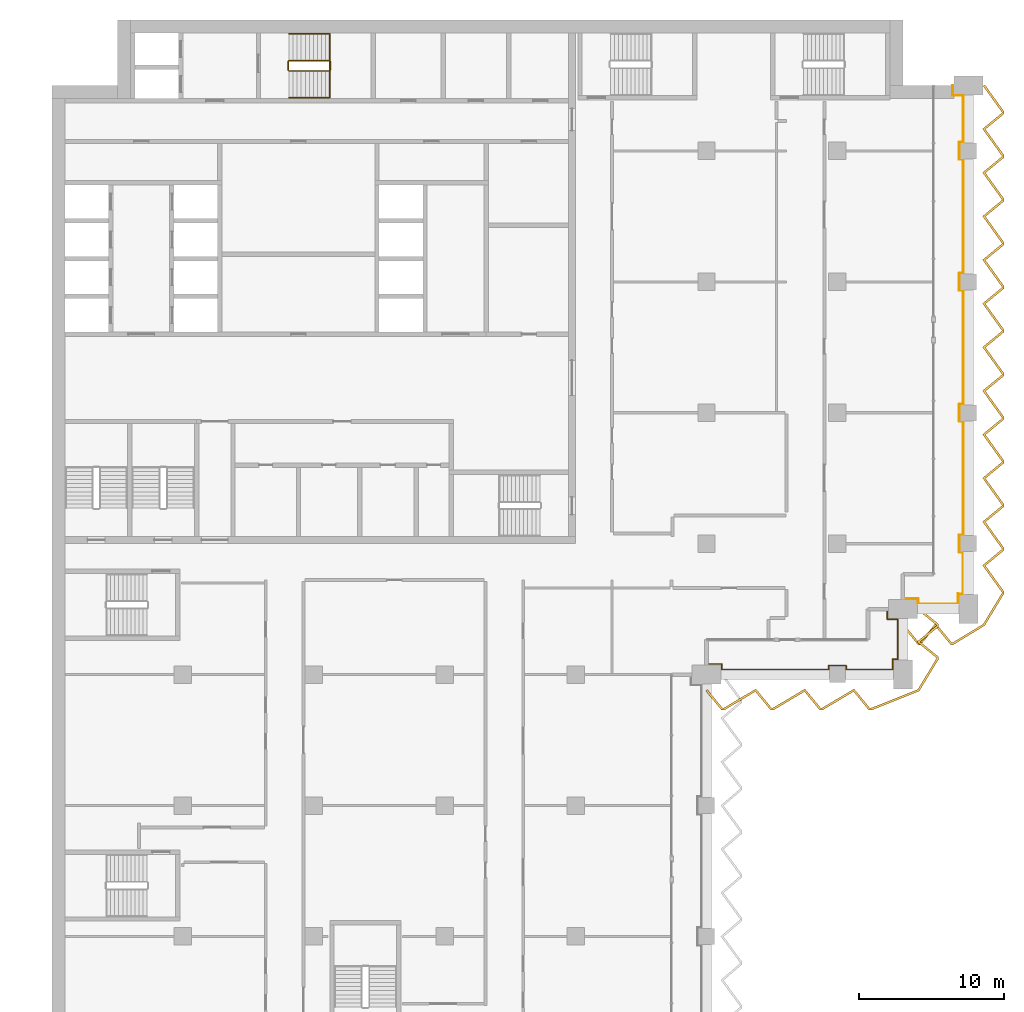
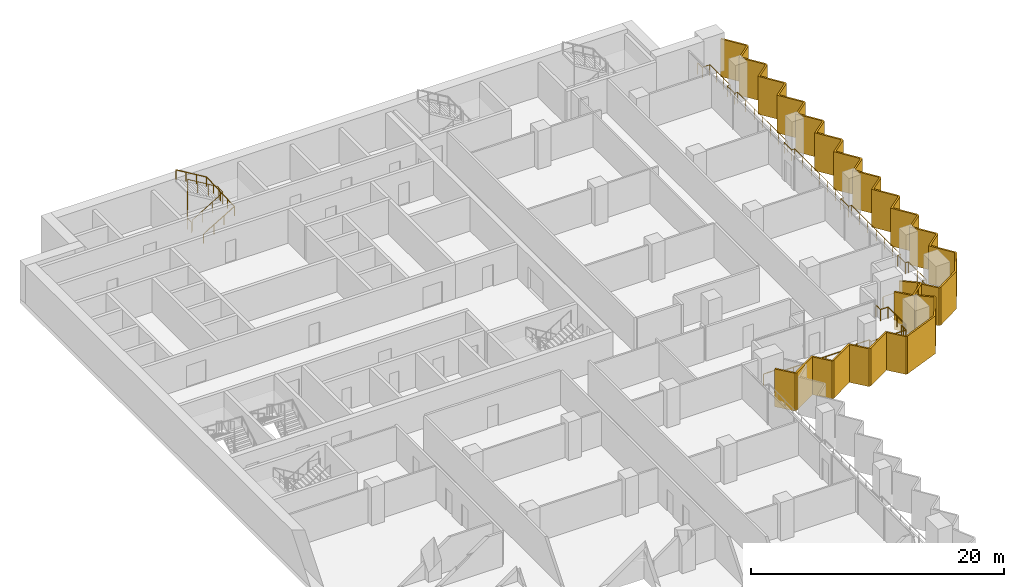
# One storey, part 21 of 22: 4 railings, 2 shading devices.
"""IFC4 building model written with IfcOpenShell, lengths in metres."""

import ifcopenshell
import ifcopenshell.guid

model = None  # the IFC model being written
_history = None  # IfcOwnerHistory: only IFC2X3 demands one
_inside = {}  # id of a spatial element -> (the spatial element, [elements in it])
_under = {}  # id of a project, library or spatial element -> (it, [spatial elements below it])
_declared = {}  # id of a project -> (the project, [libraries it declares])
_typed = {}  # id of a type object -> (the type object, [elements of that type])
_made_of = {}  # id of a material, layer set ... -> (it, [elements and type objects made of it])


def new_model(schema):
    """Start an empty IFC model of exactly this schema.

    Asked for "IFC4X3", IfcOpenShell would pick the latest addendum, in which some entities
    have other attributes; the version numbers below select the first issue.
    IFC2X3 requires an IfcOwnerHistory on every rooted entity: one is made here for all.
    """
    global model, _history
    if schema == "IFC4X3":
        model = ifcopenshell.file(schema_version=(4, 3, 0, 0))
    else:
        model = ifcopenshell.file(schema=schema)
    _inside.clear()
    _under.clear()
    _declared.clear()
    _typed.clear()
    _made_of.clear()
    _history = None
    if model.schema == "IFC2X3":
        org = make("IfcOrganization", Name="unknown")
        user = make(
            "IfcPersonAndOrganization",
            ThePerson=make("IfcPerson", FamilyName="unknown"),
            TheOrganization=org,
        )
        app = make(
            "IfcApplication",
            ApplicationDeveloper=org,
            Version="unknown",
            ApplicationFullName="unknown",
            ApplicationIdentifier="unknown",
        )
        _history = make(
            "IfcOwnerHistory",
            OwningUser=user,
            OwningApplication=app,
            ChangeAction="ADDED",
            CreationDate=0,
        )
    return model


def make(cls, **values):
    """One entity of the class cls with the attributes given. An attribute that is None is left unset."""
    return model.create_entity(
        cls, **{name: value for name, value in values.items() if value is not None}
    )


def rooted(cls, **values):
    """An entity with a GlobalId (a new one), such as an element, a storey or a relation."""
    return make(cls, GlobalId=ifcopenshell.guid.new(), OwnerHistory=_history, **values)


def si_unit(unit_type, name, prefix=None):
    """IfcSIUnit, for example si_unit("LENGTHUNIT", "METRE", prefix="MILLI")."""
    return make("IfcSIUnit", UnitType=unit_type, Prefix=prefix, Name=name)


def assignment(units):
    """IfcUnitAssignment: the units of a project."""
    return None if units is None else make("IfcUnitAssignment", Units=units)


def point(xyz):
    """IfcCartesianPoint."""
    return None if xyz is None else make("IfcCartesianPoint", Coordinates=xyz)


def direction(xyz):
    """IfcDirection."""
    return None if xyz is None else make("IfcDirection", DirectionRatios=xyz)


def frame(location, z_axis=None, x_axis=None):
    """IfcAxis2Placement3D, a coordinate frame: its origin and axes. An axis left out is left unset."""
    return make(
        "IfcAxis2Placement3D",
        Location=point(location),
        Axis=direction(z_axis),
        RefDirection=direction(x_axis),
    )


def frame_2d(location, x_axis=None):
    """IfcAxis2Placement2D, a coordinate frame in the plane: its origin and x axis."""
    return make(
        "IfcAxis2Placement2D", Location=point(location), RefDirection=direction(x_axis)
    )


def origin():
    """The frame at (0, 0, 0) with its axes left unset."""
    return frame((0.0, 0.0, 0.0))


def origin_2d():
    """The frame at (0, 0) in the plane with its x axis left unset."""
    return frame_2d((0.0, 0.0))


def place(relative_to, where):
    """IfcLocalPlacement: puts the frame where relative to a parent placement (None: the world)."""
    return make(
        "IfcLocalPlacement", PlacementRelTo=relative_to, RelativePlacement=where
    )


def context(
    kind, dimensions, precision=None, world=None, true_north=None, identifier=None
):
    """IfcGeometricRepresentationContext, for example the 3D "Model" context."""
    return make(
        "IfcGeometricRepresentationContext",
        ContextIdentifier=identifier,
        ContextType=kind,
        CoordinateSpaceDimension=dimensions,
        Precision=precision,
        WorldCoordinateSystem=world,
        TrueNorth=true_north,
    )


def subcontext(parent, identifier, kind, view, scale=None):
    """IfcGeometricRepresentationSubContext, for example "Body" below "Model"."""
    return make(
        "IfcGeometricRepresentationSubContext",
        ContextIdentifier=identifier,
        ContextType=kind,
        ParentContext=parent,
        TargetScale=scale,
        TargetView=view,
    )


def project(units=None, contexts=None):
    """IfcProject with its units and contexts."""
    return rooted(
        "IfcProject",
        Name="project",
        RepresentationContexts=contexts,
        UnitsInContext=assignment(units),
    )


def spatial(cls, under=None, at=None, **own):
    """A site, building, storey or space (cls), placed at a placement, below another one or the project."""
    s = rooted(cls, ObjectPlacement=at, **own)
    if under is not None:
        _under.setdefault(under.id(), (under, []))[1].append(s)
    return s


def polyline(points):
    """IfcPolyline through the points."""
    return make("IfcPolyline", Points=[point(p) for p in points])


def profile(cls, at=None, kind="AREA", **sizes):
    """A parametric profile (cls). Its sizes go by their IFC names, for example OverallWidth=200.0."""
    return make(cls, ProfileType=kind, Position=at, **sizes)


def circle(**sizes):
    """IfcCircleProfileDef."""
    return profile("IfcCircleProfileDef", **sizes)


def outline(outer, holes=None, kind="AREA"):
    """IfcArbitraryClosedProfileDef: a profile drawn as a closed curve; with holes, ...WithVoids."""
    if holes is None:
        return make("IfcArbitraryClosedProfileDef", ProfileType=kind, OuterCurve=outer)
    return make(
        "IfcArbitraryProfileDefWithVoids",
        ProfileType=kind,
        OuterCurve=outer,
        InnerCurves=holes,
    )


def extrude(swept, where, along, depth):
    """IfcExtrudedAreaSolid: the profile swept, set in the frame where, extruded along a direction by depth."""
    return make(
        "IfcExtrudedAreaSolid",
        SweptArea=swept,
        Position=where,
        ExtrudedDirection=direction(along),
        Depth=depth,
    )


def shape(context_of_items, identifier, shape_type, items):
    """IfcShapeRepresentation: the items that make up one representation, for example the "Body"."""
    return make(
        "IfcShapeRepresentation",
        ContextOfItems=context_of_items,
        RepresentationIdentifier=identifier,
        RepresentationType=shape_type,
        Items=items,
    )


def material(Name=None, Category=None):
    """IfcMaterial."""
    return make("IfcMaterial", Name=Name, Category=Category)


def layer(
    of_material, thickness, ventilated=None, Name=None, Category=None, Priority=None
):
    """IfcMaterialLayer: one layer of a wall or slab, of a material (None: an air gap)."""
    return make(
        "IfcMaterialLayer",
        Material=of_material,
        LayerThickness=thickness,
        IsVentilated=ventilated,
        Name=Name,
        Category=Category,
        Priority=Priority,
    )


def layer_set(layers, Name=None):
    """IfcMaterialLayerSet."""
    return make("IfcMaterialLayerSet", MaterialLayers=layers, LayerSetName=Name)


def made_of(thing, what):
    """Note that an element or type object is made of a material, layer set ...; save() writes the relation."""
    if what is not None:
        _made_of.setdefault(what.id(), (what, []))[1].append(thing)
    return thing


def type_object(cls, material=None, **own):
    """A type object (cls), such as IfcWallType, which elements share."""
    return made_of(rooted(cls, **own), material)


def element(
    cls,
    number,
    at=None,
    inside=None,
    cuts=None,
    type_object=None,
    material=None,
    context=None,
    identifier="Body",
    shape_type=None,
    held_by="IfcProductDefinitionShape",
    body=None,
    shapes=None,
    **own,
):
    """One element of the class cls, such as IfcWall. Its Tag is "e" and its number.

    at: its placement. inside: the storey or other place that contains it. cuts: it is an
    opening in that element (IfcRelVoidsElement). A single representation is given by context,
    identifier, shape_type and body (its items); several are given by shapes. held_by: the class
    of the entity that holds the representations. save() writes the other relations.
    """
    e = rooted(cls, Tag="e%d" % number, ObjectPlacement=at, **own)
    if body is not None:
        shapes = [shape(context, identifier, shape_type, body)]
    if shapes is not None:
        e.Representation = make(held_by, Representations=shapes)
    if inside is not None:
        _inside.setdefault(inside.id(), (inside, []))[1].append(e)
    if cuts is not None:
        rooted(
            "IfcRelVoidsElement", RelatingBuildingElement=cuts, RelatedOpeningElement=e
        )
    if type_object is not None:
        _typed.setdefault(type_object.id(), (type_object, []))[1].append(e)
    return made_of(e, material)


def aggregate(whole, parts):
    """IfcRelAggregates: a whole, such as a stair, and the parts it consists of."""
    return rooted("IfcRelAggregates", RelatingObject=whole, RelatedObjects=parts)


def save(model, path):
    """Write the relations noted so far, then the file.

    IfcRelAggregates (storeys below a building ...), IfcRelContainedInSpatialStructure (elements
    in a storey), IfcRelDefinesByType, IfcRelAssociatesMaterial and IfcRelDeclares: one each for
    every whole, place, type object, material and project.
    """
    for whole, parts in _under.values():
        aggregate(whole, parts)
    for where, things in _inside.values():
        rooted(
            "IfcRelContainedInSpatialStructure",
            RelatedElements=things,
            RelatingStructure=where,
        )
    for kind, things in _typed.values():
        rooted("IfcRelDefinesByType", RelatedObjects=things, RelatingType=kind)
    for what, things in _made_of.values():
        rooted("IfcRelAssociatesMaterial", RelatedObjects=things, RelatingMaterial=what)
    for by, libraries in _declared.values():
        rooted("IfcRelDeclares", RelatingContext=by, RelatedDefinitions=libraries)
    model.write(path)


model = new_model("IFC4")

# Units and contexts
model_context = context("Model", 3, precision=1e-05, world=origin(), true_north=direction((0.0, 1.0)))
body_context = subcontext(model_context, "Body", "Model", "MODEL_VIEW")
ifc_project = project(units=[si_unit("LENGTHUNIT", "METRE"), si_unit("AREAUNIT", "SQUARE_METRE"), si_unit("VOLUMEUNIT", "CUBIC_METRE"), si_unit("PLANEANGLEUNIT", "RADIAN"), si_unit("MASSUNIT", "GRAM", prefix="KILO")], contexts=[model_context])

# Site, building, storey
site_placement = place(None, origin())
site = spatial("IfcSite", under=ifc_project, at=site_placement, CompositionType="ELEMENT")
building_placement = place(site_placement, origin())
building = spatial("IfcBuilding", under=site, at=building_placement, Name="Hunhe Ridgeline Campus", CompositionType="ELEMENT")
storey_placement = place(building_placement, frame((0.0, 0.0, 156.0)))
storey = spatial("IfcBuildingStorey", under=building, at=storey_placement, Name="L39", CompositionType="ELEMENT", Elevation=156.0)

# Railings
ifc_material_1 = material(Name="Steel Q355", Category="steel")
railing_type_1 = type_object("IfcRailingType", Name="Loggia guard 1100 Steel Q355", PredefinedType="GUARDRAIL", material=ifc_material_1)
railing_1_placement = place(storey_placement, frame((45.0, 54.719970703125, 0.0)))
element("IfcRailing", 1, at=railing_1_placement, inside=storey, type_object=railing_type_1, Name="Loggia guard 2", PredefinedType="GUARDRAIL", context=body_context, shape_type="SweptSolid", body=[
    extrude(circle(Radius=0.02392578125, at=origin_2d()), frame((0.0, 0.0, 1.076171875), z_axis=(1.0, 0.0, 0.0), x_axis=(0.0, 1.0, 0.0)), (0.0, 0.0, 1.0), 1.050048828125),
    extrude(circle(Radius=0.02392578125, at=origin_2d()), frame((1.050048828125, 0.0, 1.076171875), z_axis=(0.0, -1.0, 0.0), x_axis=(1.0, 0.0, 0.0)), (0.0, 0.0, 1.0), 0.369873046875),
    extrude(circle(Radius=0.02392578125, at=origin_2d()), frame((1.050048828125, -0.369873046875, 1.076171875), z_axis=(1.0, 0.0, 0.0), x_axis=(0.0, 1.0, 0.0)), (0.0, 0.0, 1.0), 7.349853515625),
    extrude(circle(Radius=0.02392578125, at=origin_2d()), frame((8.39990234375, -0.369873046875, 1.076171875), z_axis=(0.0, 1.0, 0.0), x_axis=(-1.0, 0.0, 0.0)), (0.0, 0.0, 1.0), 0.27001953125),
    extrude(circle(Radius=0.02392578125, at=origin_2d()), frame((8.39990234375, -0.099853515625, 1.076171875), z_axis=(1.0, 0.0, 0.0), x_axis=(0.0, 1.0, 0.0)), (0.0, 0.0, 1.0), 1.2001953125),
    extrude(circle(Radius=0.02392578125, at=origin_2d()), frame((9.60009765625, -0.099853515625, 1.076171875), z_axis=(0.0, -1.0, 0.0), x_axis=(1.0, 0.0, 0.0)), (0.0, 0.0, 1.0), 0.27001953125),
    extrude(circle(Radius=0.02392578125, at=origin_2d()), frame((9.60009765625, -0.369873046875, 1.076171875), z_axis=(1.0, 0.0, 0.0), x_axis=(0.0, 1.0, 0.0)), (0.0, 0.0, 1.0), 3.199951171875),
    extrude(circle(Radius=0.02392578125, at=origin_2d()), frame((12.800048828125, -0.369873046875, 1.076171875), z_axis=(0.0, 1.0, 0.0), x_axis=(-1.0, 0.0, 0.0)), (0.0, 0.0, 1.0), 0.719970703125),
    extrude(circle(Radius=0.02392578125, at=origin_2d()), frame((12.800048828125, 0.35009765625, 1.076171875), z_axis=(-0.057089444596, -0.998369067688, 0.0), x_axis=(0.998369067688, -0.057089444596, 0.0)), (0.0, 0.0, 1.0), 0.3505859375),
    extrude(circle(Radius=0.02392578125, at=origin_2d()), frame((12.780029296875, 0.0, 1.076171875), z_axis=(0.0, 1.0, 0.0), x_axis=(-1.0, 0.0, 0.0)), (0.0, 0.0, 1.0), 0.330078125),
    extrude(circle(Radius=0.02392578125, at=origin_2d()), frame((12.780029296875, 0.330078125, 1.076171875), z_axis=(1.0, 0.0, 0.0), x_axis=(0.0, 1.0, 0.0)), (0.0, 0.0, 1.0), 0.369873046875),
    extrude(circle(Radius=0.02392578125, at=origin_2d()), frame((13.14990234375, 0.330078125, 1.076171875), z_axis=(0.0, 1.0, 0.0), x_axis=(-1.0, 0.0, 0.0)), (0.0, 0.0, 1.0), 2.75),
    extrude(circle(Radius=0.02392578125, at=origin_2d()), frame((13.14990234375, 3.080078125, 1.076171875), z_axis=(-1.0, 0.0, 0.0), x_axis=(0.0, -1.0, 0.0)), (0.0, 0.0, 1.0), 0.719970703125),
    extrude(circle(Radius=0.02392578125, at=origin_2d()), frame((12.429931640625, 3.080078125, 1.076171875), z_axis=(0.0, 1.0, 0.0), x_axis=(-1.0, 0.0, 0.0)), (0.0, 0.0, 1.0), 0.699951171875),
    extrude(circle(Radius=0.02099609375, at=origin_2d()), origin(), (0.0, 0.0, 1.0), 1.052001953125),
    extrude(circle(Radius=0.02099609375, at=origin_2d()), frame((1.050048828125, 0.0, 0.0)), (0.0, 0.0, 1.0), 1.052001953125),
    extrude(circle(Radius=0.02099609375, at=origin_2d()), frame((1.050048828125, -0.369873046875, 0.0)), (0.0, 0.0, 1.0), 1.052001953125),
    extrude(circle(Radius=0.02099609375, at=origin_2d()), frame((2.52001953125, -0.369873046875, 0.0)), (0.0, 0.0, 1.0), 1.052001953125),
    extrude(circle(Radius=0.02099609375, at=origin_2d()), frame((3.989990234375, -0.369873046875, 0.0)), (0.0, 0.0, 1.0), 1.052001953125),
    extrude(circle(Radius=0.02099609375, at=origin_2d()), frame((5.4599609375, -0.369873046875, 0.0)), (0.0, 0.0, 1.0), 1.052001953125),
    extrude(circle(Radius=0.02099609375, at=origin_2d()), frame((6.929931640625, -0.369873046875, 0.0)), (0.0, 0.0, 1.0), 1.052001953125),
    extrude(circle(Radius=0.02099609375, at=origin_2d()), frame((8.39990234375, -0.369873046875, 0.0)), (0.0, 0.0, 1.0), 1.052001953125),
    extrude(circle(Radius=0.02099609375, at=origin_2d()), frame((8.39990234375, -0.099853515625, 0.0)), (0.0, 0.0, 1.0), 1.052001953125),
    extrude(circle(Radius=0.02099609375, at=origin_2d()), frame((9.60009765625, -0.099853515625, 0.0)), (0.0, 0.0, 1.0), 1.052001953125),
    extrude(circle(Radius=0.02099609375, at=origin_2d()), frame((9.60009765625, -0.369873046875, 0.0)), (0.0, 0.0, 1.0), 1.052001953125),
    extrude(circle(Radius=0.02099609375, at=origin_2d()), frame((10.666748046875, -0.369873046875, 0.0)), (0.0, 0.0, 1.0), 1.052001953125),
    extrude(circle(Radius=0.02099609375, at=origin_2d()), frame((11.7333984375, -0.369873046875, 0.0)), (0.0, 0.0, 1.0), 1.052001953125),
    extrude(circle(Radius=0.02099609375, at=origin_2d()), frame((12.800048828125, -0.369873046875, 0.0)), (0.0, 0.0, 1.0), 1.052001953125),
    extrude(circle(Radius=0.02099609375, at=origin_2d()), frame((12.800048828125, 0.35009765625, 0.0)), (0.0, 0.0, 1.0), 1.052001953125),
    extrude(circle(Radius=0.02099609375, at=origin_2d()), frame((12.780029296875, 0.0, 0.0)), (0.0, 0.0, 1.0), 1.052001953125),
    extrude(circle(Radius=0.02099609375, at=origin_2d()), frame((12.780029296875, 0.330078125, 0.0)), (0.0, 0.0, 1.0), 1.052001953125),
    extrude(circle(Radius=0.02099609375, at=origin_2d()), frame((13.14990234375, 0.330078125, 0.0)), (0.0, 0.0, 1.0), 1.052001953125),
    extrude(circle(Radius=0.02099609375, at=origin_2d()), frame((13.14990234375, 1.705078125, 0.0)), (0.0, 0.0, 1.0), 1.052001953125),
    extrude(circle(Radius=0.02099609375, at=origin_2d()), frame((13.14990234375, 3.080078125, 0.0)), (0.0, 0.0, 1.0), 1.052001953125),
    extrude(circle(Radius=0.02099609375, at=origin_2d()), frame((12.429931640625, 3.080078125, 0.0)), (0.0, 0.0, 1.0), 1.052001953125),
    extrude(circle(Radius=0.02099609375, at=origin_2d()), frame((12.429931640625, 3.780029296875, 0.0)), (0.0, 0.0, 1.0), 1.052001953125),
])
railing_2_placement = place(storey_placement, frame((58.5, 59.219970703125, 0.0)))
element("IfcRailing", 2, at=railing_2_placement, inside=storey, type_object=railing_type_1, Name="Loggia guard 3", PredefinedType="GUARDRAIL", context=body_context, shape_type="SweptSolid", body=[
    extrude(circle(Radius=0.02392578125, at=origin_2d()), frame((0.0, 0.0, 1.076171875), z_axis=(1.0, 0.0, 0.0), x_axis=(0.0, 1.0, 0.0)), (0.0, 0.0, 1.0), 1.050048828125),
    extrude(circle(Radius=0.02392578125, at=origin_2d()), frame((1.050048828125, 0.0, 1.076171875), z_axis=(0.0, -1.0, 0.0), x_axis=(1.0, 0.0, 0.0)), (0.0, 0.0, 1.0), 0.369873046875),
    extrude(circle(Radius=0.02392578125, at=origin_2d()), frame((1.050048828125, -0.369873046875, 1.076171875), z_axis=(1.0, 0.0, 0.0), x_axis=(0.0, 1.0, 0.0)), (0.0, 0.0, 1.0), 2.75),
    extrude(circle(Radius=0.02392578125, at=origin_2d()), frame((3.800048828125, -0.369873046875, 1.076171875), z_axis=(0.0, 1.0, 0.0), x_axis=(-1.0, 0.0, 0.0)), (0.0, 0.0, 1.0), 0.719970703125),
    extrude(circle(Radius=0.02392578125, at=origin_2d()), frame((3.800048828125, 0.35009765625, 1.076171875), z_axis=(-0.057089444596, -0.998369067688, 0.0), x_axis=(0.998369067688, -0.057089444596, 0.0)), (0.0, 0.0, 1.0), 0.3505859375),
    extrude(circle(Radius=0.02392578125, at=origin_2d()), frame((3.780029296875, 0.0, 1.076171875), z_axis=(0.0, 1.0, 0.0), x_axis=(-1.0, 0.0, 0.0)), (0.0, 0.0, 1.0), 0.330078125),
    extrude(circle(Radius=0.02392578125, at=origin_2d()), frame((3.780029296875, 0.330078125, 1.076171875), z_axis=(1.0, 0.0, 0.0), x_axis=(0.0, 1.0, 0.0)), (0.0, 0.0, 1.0), 0.369873046875),
    extrude(circle(Radius=0.02392578125, at=origin_2d()), frame((4.14990234375, 0.330078125, 1.076171875), z_axis=(0.0, 1.0, 0.0), x_axis=(-1.0, 0.0, 0.0)), (0.0, 0.0, 1.0), 2.849853515625),
    extrude(circle(Radius=0.02392578125, at=origin_2d()), frame((4.14990234375, 3.179931640625, 1.076171875), z_axis=(-1.0, 0.0, 0.0), x_axis=(0.0, -1.0, 0.0)), (0.0, 0.0, 1.0), 0.27001953125),
    extrude(circle(Radius=0.02392578125, at=origin_2d()), frame((3.8798828125, 3.179931640625, 1.076171875), z_axis=(0.0, 1.0, 0.0), x_axis=(-1.0, 0.0, 0.0)), (0.0, 0.0, 1.0), 1.2001953125),
    extrude(circle(Radius=0.02392578125, at=origin_2d()), frame((3.8798828125, 4.380126953125, 1.076171875), z_axis=(1.0, 0.0, 0.0), x_axis=(0.0, 1.0, 0.0)), (0.0, 0.0, 1.0), 0.27001953125),
    extrude(circle(Radius=0.02392578125, at=origin_2d()), frame((4.14990234375, 4.380126953125, 1.076171875), z_axis=(0.0, 1.0, 0.0), x_axis=(-1.0, 0.0, 0.0)), (0.0, 0.0, 1.0), 7.7998046875),
    extrude(circle(Radius=0.02392578125, at=origin_2d()), frame((4.14990234375, 12.179931640625, 1.076171875), z_axis=(-1.0, 0.0, 0.0), x_axis=(0.0, -1.0, 0.0)), (0.0, 0.0, 1.0), 0.27001953125),
    extrude(circle(Radius=0.02392578125, at=origin_2d()), frame((3.8798828125, 12.179931640625, 1.076171875), z_axis=(0.0, 1.0, 0.0), x_axis=(-1.0, 0.0, 0.0)), (0.0, 0.0, 1.0), 1.2001953125),
    extrude(circle(Radius=0.02392578125, at=origin_2d()), frame((3.8798828125, 13.380126953125, 1.076171875), z_axis=(1.0, 0.0, 0.0), x_axis=(0.0, 1.0, 0.0)), (0.0, 0.0, 1.0), 0.27001953125),
    extrude(circle(Radius=0.02392578125, at=origin_2d()), frame((4.14990234375, 13.380126953125, 1.076171875), z_axis=(0.0, 1.0, 0.0), x_axis=(-1.0, 0.0, 0.0)), (0.0, 0.0, 1.0), 7.7998046875),
    extrude(circle(Radius=0.02392578125, at=origin_2d()), frame((4.14990234375, 21.179931640625, 1.076171875), z_axis=(-1.0, 0.0, 0.0), x_axis=(0.0, -1.0, 0.0)), (0.0, 0.0, 1.0), 0.27001953125),
    extrude(circle(Radius=0.02392578125, at=origin_2d()), frame((3.8798828125, 21.179931640625, 1.076171875), z_axis=(0.0, 1.0, 0.0), x_axis=(-1.0, 0.0, 0.0)), (0.0, 0.0, 1.0), 1.2001953125),
    extrude(circle(Radius=0.02392578125, at=origin_2d()), frame((3.8798828125, 22.380126953125, 1.076171875), z_axis=(1.0, 0.0, 0.0), x_axis=(0.0, 1.0, 0.0)), (0.0, 0.0, 1.0), 0.27001953125),
    extrude(circle(Radius=0.02392578125, at=origin_2d()), frame((4.14990234375, 22.380126953125, 1.076171875), z_axis=(0.0, 1.0, 0.0), x_axis=(-1.0, 0.0, 0.0)), (0.0, 0.0, 1.0), 7.7998046875),
    extrude(circle(Radius=0.02392578125, at=origin_2d()), frame((4.14990234375, 30.179931640625, 1.076171875), z_axis=(-1.0, 0.0, 0.0), x_axis=(0.0, -1.0, 0.0)), (0.0, 0.0, 1.0), 0.27001953125),
    extrude(circle(Radius=0.02392578125, at=origin_2d()), frame((3.8798828125, 30.179931640625, 1.076171875), z_axis=(0.0, 1.0, 0.0), x_axis=(-1.0, 0.0, 0.0)), (0.0, 0.0, 1.0), 1.2001953125),
    extrude(circle(Radius=0.02392578125, at=origin_2d()), frame((3.8798828125, 31.380126953125, 1.076171875), z_axis=(1.0, 0.0, 0.0), x_axis=(0.0, 1.0, 0.0)), (0.0, 0.0, 1.0), 0.27001953125),
    extrude(circle(Radius=0.02392578125, at=origin_2d()), frame((4.14990234375, 31.380126953125, 1.076171875), z_axis=(0.0, 1.0, 0.0), x_axis=(-1.0, 0.0, 0.0)), (0.0, 0.0, 1.0), 3.199951171875),
    extrude(circle(Radius=0.02392578125, at=origin_2d()), frame((4.14990234375, 34.580078125, 1.076171875), z_axis=(-1.0, 0.0, 0.0), x_axis=(0.0, -1.0, 0.0)), (0.0, 0.0, 1.0), 0.719970703125),
    extrude(circle(Radius=0.02392578125, at=origin_2d()), frame((3.429931640625, 34.580078125, 1.076171875), z_axis=(0.0, 1.0, 0.0), x_axis=(-1.0, 0.0, 0.0)), (0.0, 0.0, 1.0), 0.699951171875),
    extrude(circle(Radius=0.02099609375, at=origin_2d()), origin(), (0.0, 0.0, 1.0), 1.052001953125),
    extrude(circle(Radius=0.02099609375, at=origin_2d()), frame((1.050048828125, 0.0, 0.0)), (0.0, 0.0, 1.0), 1.052001953125),
    extrude(circle(Radius=0.02099609375, at=origin_2d()), frame((1.050048828125, -0.369873046875, 0.0)), (0.0, 0.0, 1.0), 1.052001953125),
    extrude(circle(Radius=0.02099609375, at=origin_2d()), frame((2.425048828125, -0.369873046875, 0.0)), (0.0, 0.0, 1.0), 1.052001953125),
    extrude(circle(Radius=0.02099609375, at=origin_2d()), frame((3.800048828125, -0.369873046875, 0.0)), (0.0, 0.0, 1.0), 1.052001953125),
    extrude(circle(Radius=0.02099609375, at=origin_2d()), frame((3.800048828125, 0.35009765625, 0.0)), (0.0, 0.0, 1.0), 1.052001953125),
    extrude(circle(Radius=0.02099609375, at=origin_2d()), frame((3.780029296875, 0.0, 0.0)), (0.0, 0.0, 1.0), 1.052001953125),
    extrude(circle(Radius=0.02099609375, at=origin_2d()), frame((3.780029296875, 0.330078125, 0.0)), (0.0, 0.0, 1.0), 1.052001953125),
    extrude(circle(Radius=0.02099609375, at=origin_2d()), frame((4.14990234375, 0.330078125, 0.0)), (0.0, 0.0, 1.0), 1.052001953125),
    extrude(circle(Radius=0.02099609375, at=origin_2d()), frame((4.14990234375, 1.7548828125, 0.0)), (0.0, 0.0, 1.0), 1.052001953125),
    extrude(circle(Radius=0.02099609375, at=origin_2d()), frame((4.14990234375, 3.179931640625, 0.0)), (0.0, 0.0, 1.0), 1.052001953125),
    extrude(circle(Radius=0.02099609375, at=origin_2d()), frame((3.8798828125, 3.179931640625, 0.0)), (0.0, 0.0, 1.0), 1.052001953125),
    extrude(circle(Radius=0.02099609375, at=origin_2d()), frame((3.8798828125, 4.380126953125, 0.0)), (0.0, 0.0, 1.0), 1.052001953125),
    extrude(circle(Radius=0.02099609375, at=origin_2d()), frame((4.14990234375, 4.380126953125, 0.0)), (0.0, 0.0, 1.0), 1.052001953125),
    extrude(circle(Radius=0.02099609375, at=origin_2d()), frame((4.14990234375, 5.68017578125, 0.0)), (0.0, 0.0, 1.0), 1.052001953125),
    extrude(circle(Radius=0.02099609375, at=origin_2d()), frame((4.14990234375, 6.97998046875, 0.0)), (0.0, 0.0, 1.0), 1.052001953125),
    extrude(circle(Radius=0.02099609375, at=origin_2d()), frame((4.14990234375, 8.280029296875, 0.0)), (0.0, 0.0, 1.0), 1.052001953125),
    extrude(circle(Radius=0.02099609375, at=origin_2d()), frame((4.14990234375, 9.580078125, 0.0)), (0.0, 0.0, 1.0), 1.052001953125),
    extrude(circle(Radius=0.02099609375, at=origin_2d()), frame((4.14990234375, 10.8798828125, 0.0)), (0.0, 0.0, 1.0), 1.052001953125),
    extrude(circle(Radius=0.02099609375, at=origin_2d()), frame((4.14990234375, 12.179931640625, 0.0)), (0.0, 0.0, 1.0), 1.052001953125),
    extrude(circle(Radius=0.02099609375, at=origin_2d()), frame((3.8798828125, 12.179931640625, 0.0)), (0.0, 0.0, 1.0), 1.052001953125),
    extrude(circle(Radius=0.02099609375, at=origin_2d()), frame((3.8798828125, 13.380126953125, 0.0)), (0.0, 0.0, 1.0), 1.052001953125),
    extrude(circle(Radius=0.02099609375, at=origin_2d()), frame((4.14990234375, 13.380126953125, 0.0)), (0.0, 0.0, 1.0), 1.052001953125),
    extrude(circle(Radius=0.02099609375, at=origin_2d()), frame((4.14990234375, 14.68017578125, 0.0)), (0.0, 0.0, 1.0), 1.052001953125),
    extrude(circle(Radius=0.02099609375, at=origin_2d()), frame((4.14990234375, 15.97998046875, 0.0)), (0.0, 0.0, 1.0), 1.052001953125),
    extrude(circle(Radius=0.02099609375, at=origin_2d()), frame((4.14990234375, 17.280029296875, 0.0)), (0.0, 0.0, 1.0), 1.052001953125),
    extrude(circle(Radius=0.02099609375, at=origin_2d()), frame((4.14990234375, 18.580078125, 0.0)), (0.0, 0.0, 1.0), 1.052001953125),
    extrude(circle(Radius=0.02099609375, at=origin_2d()), frame((4.14990234375, 19.8798828125, 0.0)), (0.0, 0.0, 1.0), 1.052001953125),
    extrude(circle(Radius=0.02099609375, at=origin_2d()), frame((4.14990234375, 21.179931640625, 0.0)), (0.0, 0.0, 1.0), 1.052001953125),
    extrude(circle(Radius=0.02099609375, at=origin_2d()), frame((3.8798828125, 21.179931640625, 0.0)), (0.0, 0.0, 1.0), 1.052001953125),
    extrude(circle(Radius=0.02099609375, at=origin_2d()), frame((3.8798828125, 22.380126953125, 0.0)), (0.0, 0.0, 1.0), 1.052001953125),
    extrude(circle(Radius=0.02099609375, at=origin_2d()), frame((4.14990234375, 22.380126953125, 0.0)), (0.0, 0.0, 1.0), 1.052001953125),
    extrude(circle(Radius=0.02099609375, at=origin_2d()), frame((4.14990234375, 23.68017578125, 0.0)), (0.0, 0.0, 1.0), 1.052001953125),
    extrude(circle(Radius=0.02099609375, at=origin_2d()), frame((4.14990234375, 24.97998046875, 0.0)), (0.0, 0.0, 1.0), 1.052001953125),
    extrude(circle(Radius=0.02099609375, at=origin_2d()), frame((4.14990234375, 26.280029296875, 0.0)), (0.0, 0.0, 1.0), 1.052001953125),
    extrude(circle(Radius=0.02099609375, at=origin_2d()), frame((4.14990234375, 27.580078125, 0.0)), (0.0, 0.0, 1.0), 1.052001953125),
    extrude(circle(Radius=0.02099609375, at=origin_2d()), frame((4.14990234375, 28.8798828125, 0.0)), (0.0, 0.0, 1.0), 1.052001953125),
    extrude(circle(Radius=0.02099609375, at=origin_2d()), frame((4.14990234375, 30.179931640625, 0.0)), (0.0, 0.0, 1.0), 1.052001953125),
    extrude(circle(Radius=0.02099609375, at=origin_2d()), frame((3.8798828125, 30.179931640625, 0.0)), (0.0, 0.0, 1.0), 1.052001953125),
    extrude(circle(Radius=0.02099609375, at=origin_2d()), frame((3.8798828125, 31.380126953125, 0.0)), (0.0, 0.0, 1.0), 1.052001953125),
    extrude(circle(Radius=0.02099609375, at=origin_2d()), frame((4.14990234375, 31.380126953125, 0.0)), (0.0, 0.0, 1.0), 1.052001953125),
    extrude(circle(Radius=0.02099609375, at=origin_2d()), frame((4.14990234375, 32.44677734375, 0.0)), (0.0, 0.0, 1.0), 1.052001953125),
    extrude(circle(Radius=0.02099609375, at=origin_2d()), frame((4.14990234375, 33.513427734375, 0.0)), (0.0, 0.0, 1.0), 1.052001953125),
    extrude(circle(Radius=0.02099609375, at=origin_2d()), frame((4.14990234375, 34.580078125, 0.0)), (0.0, 0.0, 1.0), 1.052001953125),
    extrude(circle(Radius=0.02099609375, at=origin_2d()), frame((3.429931640625, 34.580078125, 0.0)), (0.0, 0.0, 1.0), 1.052001953125),
    extrude(circle(Radius=0.02099609375, at=origin_2d()), frame((3.429931640625, 35.280029296875, 0.0)), (0.0, 0.0, 1.0), 1.052001953125),
])

# Shading devices
ifc_material_2 = material(Name="Concrete C50", Category="concrete")
ifc_layer = layer(ifc_material_2, 0.14990234375)
ifc_layer_set = layer_set([ifc_layer], Name="Sawtooth concrete fin 150 Concrete C50")
shading_device_type = type_object("IfcShadingDeviceType", Name="Sawtooth concrete fin 150 Concrete C50", PredefinedType="USERDEFINED", material=ifc_layer_set)
shading_device_1_placement = place(storey_placement, frame((0.0, 0.0, -0.949951171875)))
element("IfcShadingDevice", 3, at=shading_device_1_placement, inside=storey, type_object=shading_device_type, Name="Concrete fin screen 2", ObjectType="FIN", PredefinedType="USERDEFINED", context=body_context, shape_type="SweptSolid", body=[
    extrude(outline(polyline([(45.057861328125, 52.97265625), (44.942138671875, 52.877197265625), (46.037353515625, 51.550048828125), (46.213134765625, 51.550048828125), (48.358154296875, 52.82763671875), (49.412353515625, 51.550048828125), (49.588134765625, 51.550048828125), (51.733154296875, 52.82763671875), (52.787353515625, 51.550048828125), (52.963134765625, 51.550048828125), (55.108154296875, 52.82763671875), (56.162353515625, 51.550048828125), (56.33203125, 51.550048828125), (59.626220703125, 52.86474609375), (60.949951171875, 55.0517578125), (60.949951171875, 55.228271484375), (59.693359375, 56.25048828125), (60.949951171875, 57.287353515625), (60.949951171875, 57.478271484375), (59.622314453125, 58.55810546875), (59.527587890625, 58.44189453125), (60.800048828125, 57.406982421875), (60.800048828125, 57.35791015625), (59.45654296875, 56.24951171875), (60.800048828125, 55.156982421875), (60.800048828125, 55.093505859375), (59.52392578125, 52.9853515625), (56.30322265625, 51.699951171875), (56.23291015625, 51.699951171875), (55.141845703125, 53.0224609375), (52.921875, 51.699951171875), (52.85791015625, 51.699951171875), (51.766845703125, 53.0224609375), (49.546875, 51.699951171875), (49.48291015625, 51.699951171875), (48.391845703125, 53.0224609375), (46.171875, 51.699951171875), (46.10791015625, 51.699951171875), (45.057861328125, 52.97265625)])), origin(), (0.0, 0.0, 1.0), 3.64990234375),
])
shading_device_2_placement = place(storey_placement, frame((0.0, 0.0, -0.949951171875)))
element("IfcShadingDevice", 4, at=shading_device_2_placement, inside=storey, type_object=shading_device_type, Name="Concrete fin screen 3", ObjectType="FIN", PredefinedType="USERDEFINED", context=body_context, shape_type="SweptSolid", body=[
    extrude(outline(polyline([(58.557861328125, 57.47265625), (58.442138671875, 57.377197265625), (59.537353515625, 56.050048828125), (59.728271484375, 56.050048828125), (60.75048828125, 57.306640625), (61.787353515625, 56.050048828125), (61.963623046875, 56.050048828125), (64.129638671875, 57.37060546875), (65.449951171875, 59.5517578125), (65.449951171875, 59.716796875), (64.1767578125, 61.48681640625), (65.449951171875, 62.537353515625), (65.449951171875, 62.716796875), (64.1767578125, 64.48681640625), (65.449951171875, 65.537353515625), (65.449951171875, 65.716796875), (64.1767578125, 67.48681640625), (65.449951171875, 68.537353515625), (65.449951171875, 68.716796875), (64.1767578125, 70.48681640625), (65.449951171875, 71.537353515625), (65.449951171875, 71.716796875), (64.1767578125, 73.48681640625), (65.449951171875, 74.537353515625), (65.449951171875, 74.716796875), (64.1767578125, 76.48681640625), (65.449951171875, 77.537353515625), (65.449951171875, 77.716796875), (64.1767578125, 79.48681640625), (65.449951171875, 80.537353515625), (65.449951171875, 80.716796875), (64.1767578125, 82.48681640625), (65.449951171875, 83.537353515625), (65.449951171875, 83.716796875), (64.1767578125, 85.48681640625), (65.449951171875, 86.537353515625), (65.449951171875, 86.716796875), (64.1767578125, 88.48681640625), (65.449951171875, 89.537353515625), (65.449951171875, 89.716796875), (64.1767578125, 91.48681640625), (65.449951171875, 92.537353515625), (65.449951171875, 92.716796875), (64.135986328125, 94.543701171875), (64.01416015625, 94.456298828125), (65.300048828125, 92.66845703125), (65.300048828125, 92.60791015625), (63.97314453125, 91.51318359375), (65.300048828125, 89.66845703125), (65.300048828125, 89.60791015625), (63.97314453125, 88.51318359375), (65.300048828125, 86.66845703125), (65.300048828125, 86.60791015625), (63.97314453125, 85.51318359375), (65.300048828125, 83.66845703125), (65.300048828125, 83.60791015625), (63.97314453125, 82.51318359375), (65.300048828125, 80.66845703125), (65.300048828125, 80.60791015625), (63.97314453125, 79.51318359375), (65.300048828125, 77.66845703125), (65.300048828125, 77.60791015625), (63.97314453125, 76.51318359375), (65.300048828125, 74.66845703125), (65.300048828125, 74.60791015625), (63.97314453125, 73.51318359375), (65.300048828125, 71.66845703125), (65.300048828125, 71.60791015625), (63.97314453125, 70.51318359375), (65.300048828125, 68.66845703125), (65.300048828125, 68.60791015625), (63.97314453125, 67.51318359375), (65.300048828125, 65.66845703125), (65.300048828125, 65.60791015625), (63.97314453125, 64.51318359375), (65.300048828125, 62.66845703125), (65.300048828125, 62.60791015625), (63.97314453125, 61.51318359375), (65.300048828125, 59.66845703125), (65.300048828125, 59.593505859375), (64.020263671875, 57.4794921875), (61.921630859375, 56.199951171875), (61.85791015625, 56.199951171875), (60.74951171875, 57.54345703125), (59.656982421875, 56.199951171875), (59.60791015625, 56.199951171875), (58.557861328125, 57.47265625)])), origin(), (0.0, 0.0, 1.0), 3.64990234375),
])

# Railings
ifc_material_3 = material(Name="Stainless steel balustrade", Category="steel")
railing_type_2 = type_object("IfcRailingType", Name="Stair guard 1100 stainless", PredefinedType="GUARDRAIL", material=ifc_material_3)
railing_3_placement = place(storey_placement, frame((16.300048828125, 95.5, 0.168212890625)))
element("IfcRailing", 5, at=railing_3_placement, inside=storey, type_object=railing_type_2, Name="L39 stair S1 guard", PredefinedType="GUARDRAIL", context=body_context, shape_type="SweptSolid", body=[
    extrude(circle(Radius=0.02392578125, at=origin_2d()), frame((0.0, 0.0, 1.076171875), z_axis=(0.857242210791, 0.0, 0.514913383045), x_axis=(0.0, 1.0, 0.0)), (0.0, 0.0, 1.0), 3.266357421875),
    extrude(circle(Radius=0.02392578125, at=origin_2d()), frame((2.800048828125, 0.0, 2.7578125), z_axis=(0.705375805398, 0.708833529934, 0.0), x_axis=(-0.708833529934, 0.705375805398, 0.0)), (0.0, 0.0, 1.0), 0.070556640625),
    extrude(circle(Radius=0.02392578125, at=origin_2d()), frame((2.849853515625, 0.050048828125, 2.7578125), z_axis=(0.0, 1.0, 0.0), x_axis=(-1.0, 0.0, 0.0)), (0.0, 0.0, 1.0), 0.599853515625),
    extrude(circle(Radius=0.02392578125, at=origin_2d()), frame((2.849853515625, 0.64990234375, 2.7578125), z_axis=(-0.273343290215, 0.274683208305, 0.921863645432), x_axis=(-0.708833529934, -0.705375805398, 0.0)), (0.0, 0.0, 1.0), 0.18212890625),
    extrude(circle(Radius=0.02392578125, at=origin_2d()), frame((2.800048828125, 0.699951171875, 2.92578125), z_axis=(-0.857242210791, 0.0, 0.514913383045), x_axis=(0.0, -1.0, 0.0)), (0.0, 0.0, 1.0), 3.266357421875),
    extrude(circle(Radius=0.02392578125, at=origin_2d()), frame((0.0, 0.699951171875, 4.60791015625), z_axis=(-0.013524414389, -0.013524414389, -0.999817073484), x_axis=(0.707106781187, -0.707106781187, 0.0)), (0.0, 0.0, 1.0), 3.70068359375),
    extrude(circle(Radius=0.02392578125, at=origin_2d()), frame((-0.050048828125, 0.64990234375, 0.90771484375), z_axis=(0.0, -1.0, 0.0), x_axis=(1.0, 0.0, 0.0)), (0.0, 0.0, 1.0), 0.599853515625),
    extrude(circle(Radius=0.02099609375, at=origin_2d()), origin(), (0.0, 0.0, 1.0), 1.052001953125),
    extrude(circle(Radius=0.02099609375, at=origin_2d()), frame((0.933349609375, 0.0, 0.560546875)), (0.0, 0.0, 1.0), 1.052001953125),
    extrude(circle(Radius=0.02099609375, at=origin_2d()), frame((1.86669921875, 0.0, 1.121337890625)), (0.0, 0.0, 1.0), 1.052001953125),
    extrude(circle(Radius=0.02099609375, at=origin_2d()), frame((2.800048828125, 0.0, 1.681884765625)), (0.0, 0.0, 1.0), 1.052001953125),
    extrude(circle(Radius=0.02099609375, at=origin_2d()), frame((2.849853515625, 0.050048828125, 1.681884765625)), (0.0, 0.0, 1.0), 1.052001953125),
    extrude(circle(Radius=0.02099609375, at=origin_2d()), frame((2.849853515625, 0.64990234375, 1.681884765625)), (0.0, 0.0, 1.0), 1.052001953125),
    extrude(circle(Radius=0.02099609375, at=origin_2d()), frame((2.800048828125, 0.699951171875, 1.849853515625)), (0.0, 0.0, 1.0), 1.052001953125),
    extrude(circle(Radius=0.02099609375, at=origin_2d()), frame((1.86669921875, 0.699951171875, 2.410400390625)), (0.0, 0.0, 1.0), 1.052001953125),
    extrude(circle(Radius=0.02099609375, at=origin_2d()), frame((0.933349609375, 0.699951171875, 2.97119140625)), (0.0, 0.0, 1.0), 1.052001953125),
    extrude(circle(Radius=0.02099609375, at=origin_2d()), frame((0.0, 0.699951171875, 3.53173828125)), (0.0, 0.0, 1.0), 1.052001953125),
    extrude(circle(Radius=0.02099609375, at=origin_2d()), frame((-0.012451171875, 0.6875, 2.606689453125)), (0.0, 0.0, 1.0), 1.052001953125),
    extrude(circle(Radius=0.02099609375, at=origin_2d()), frame((-0.02490234375, 0.6748046875, 1.681640625)), (0.0, 0.0, 1.0), 1.052001953125),
    extrude(circle(Radius=0.02099609375, at=origin_2d()), frame((-0.03759765625, 0.662353515625, 0.7568359375)), (0.0, 0.0, 1.0), 1.052001953125),
    extrude(circle(Radius=0.02099609375, at=origin_2d()), frame((-0.050048828125, 0.64990234375, -0.168212890625)), (0.0, 0.0, 1.0), 1.052001953125),
    extrude(circle(Radius=0.02099609375, at=origin_2d()), frame((-0.050048828125, 0.050048828125, -0.168212890625)), (0.0, 0.0, 1.0), 1.052001953125),
])
ifc_material_4 = material(Name="Stainless steel handrail", Category="steel")
railing_type_3 = type_object("IfcRailingType", Name="Stair handrail 900 stainless", PredefinedType="HANDRAIL", material=ifc_material_4)
railing_4_placement = place(storey_placement, frame((16.300048828125, 93.64990234375, 0.168212890625)))
element("IfcRailing", 6, at=railing_4_placement, inside=storey, type_object=railing_type_3, Name="L39 stair S1 handrail", PredefinedType="HANDRAIL", context=body_context, shape_type="SweptSolid", body=[
    extrude(circle(Radius=0.02392578125, at=origin_2d()), frame((0.0, 0.0, 0.8759765625), z_axis=(0.857242210791, 0.0, 0.514913383045), x_axis=(0.0, 1.0, 0.0)), (0.0, 0.0, 1.0), 3.266357421875),
    extrude(circle(Radius=0.02392578125, at=origin_2d()), frame((2.800048828125, 0.0, 2.5576171875), z_axis=(0.0, 0.999272189381, 0.038145662004), x_axis=(-1.0, 0.0, 0.0)), (0.0, 0.0, 1.0), 4.4033203125),
    extrude(circle(Radius=0.02392578125, at=origin_2d()), frame((2.800048828125, 4.400146484375, 2.7255859375), z_axis=(-0.857242210791, 0.0, 0.514913383045), x_axis=(0.0, -1.0, 0.0)), (0.0, 0.0, 1.0), 3.266357421875),
    extrude(circle(Radius=0.02099609375, at=origin_2d()), origin(), (0.0, 0.0, 1.0), 0.851806640625),
    extrude(circle(Radius=0.02099609375, at=origin_2d()), frame((0.933349609375, 0.0, 0.560546875)), (0.0, 0.0, 1.0), 0.851806640625),
    extrude(circle(Radius=0.02099609375, at=origin_2d()), frame((1.86669921875, 0.0, 1.121337890625)), (0.0, 0.0, 1.0), 0.851806640625),
    extrude(circle(Radius=0.02099609375, at=origin_2d()), frame((2.800048828125, 0.0, 1.681884765625)), (0.0, 0.0, 1.0), 0.851806640625),
    extrude(circle(Radius=0.02099609375, at=origin_2d()), frame((2.800048828125, 1.10009765625, 1.723876953125)), (0.0, 0.0, 1.0), 0.851806640625),
    extrude(circle(Radius=0.02099609375, at=origin_2d()), frame((2.800048828125, 2.2001953125, 1.765869140625)), (0.0, 0.0, 1.0), 0.851806640625),
    extrude(circle(Radius=0.02099609375, at=origin_2d()), frame((2.800048828125, 3.300048828125, 1.807861328125)), (0.0, 0.0, 1.0), 0.851806640625),
    extrude(circle(Radius=0.02099609375, at=origin_2d()), frame((2.800048828125, 4.400146484375, 1.849853515625)), (0.0, 0.0, 1.0), 0.851806640625),
    extrude(circle(Radius=0.02099609375, at=origin_2d()), frame((1.86669921875, 4.400146484375, 2.410400390625)), (0.0, 0.0, 1.0), 0.851806640625),
    extrude(circle(Radius=0.02099609375, at=origin_2d()), frame((0.933349609375, 4.400146484375, 2.97119140625)), (0.0, 0.0, 1.0), 0.851806640625),
    extrude(circle(Radius=0.02099609375, at=origin_2d()), frame((0.0, 4.400146484375, 3.53173828125)), (0.0, 0.0, 1.0), 0.851806640625),
])

save(model, "model.ifc")
